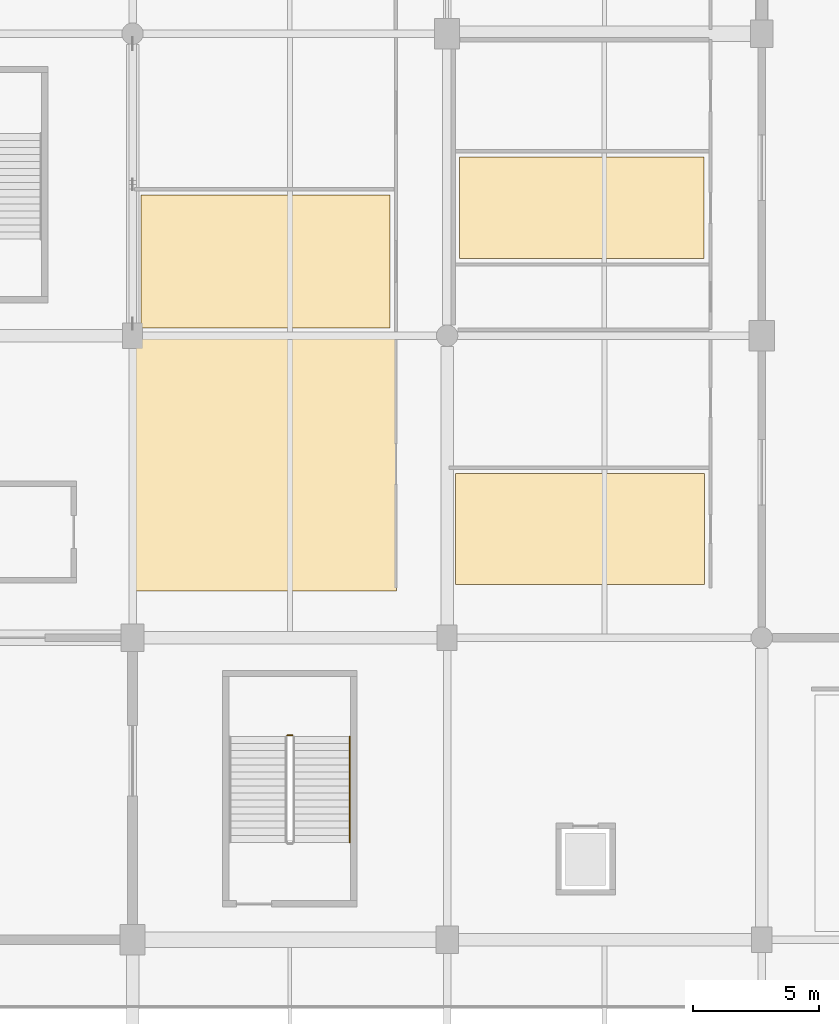
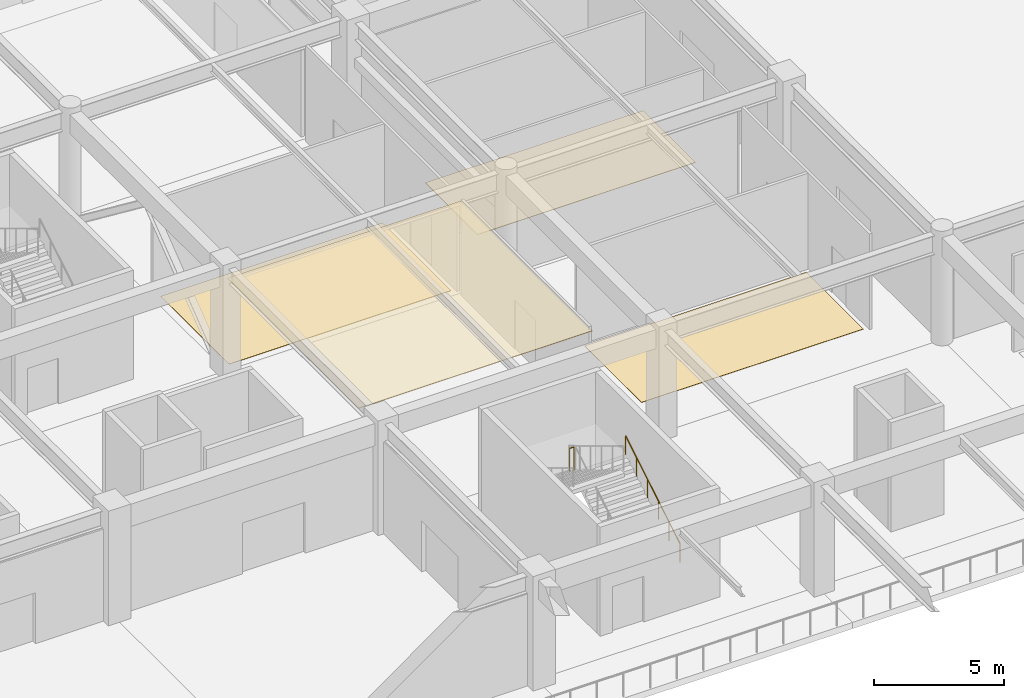
# One storey, part 42 of 69: 4 coverings, 2 railings.
"""IFC4 building model written with IfcOpenShell, lengths in metres."""

from ifc_helpers import new_model, si_unit, direction, frame, origin, origin_2d, place, context, subcontext, project, spatial, polyline, circle, outline, extrude, material, layer, layer_set, type_object, element, save


model = new_model("IFC4")

# Units and contexts
model_context = context("Model", 3, precision=1e-05, world=origin(), true_north=direction((0.0, 1.0)))
body_context = subcontext(model_context, "Body", "Model", "MODEL_VIEW")
ifc_project = project(units=[si_unit("LENGTHUNIT", "METRE"), si_unit("AREAUNIT", "SQUARE_METRE"), si_unit("VOLUMEUNIT", "CUBIC_METRE"), si_unit("PLANEANGLEUNIT", "RADIAN"), si_unit("MASSUNIT", "GRAM", prefix="KILO")], contexts=[model_context])

# Site, building, storey
site_placement = place(None, origin())
site = spatial("IfcSite", under=ifc_project, at=site_placement, CompositionType="ELEMENT")
building_placement = place(site_placement, origin())
building = spatial("IfcBuilding", under=site, at=building_placement, Name="Kazenohara Klinker Stadium", CompositionType="ELEMENT")
storey_placement = place(building_placement, origin())
storey = spatial("IfcBuildingStorey", under=building, at=storey_placement, Name="L00", CompositionType="ELEMENT", Elevation=0.0)

# Coverings
ifc_material_1 = material(Name="Perforated acoustic mineral-fibre ceiling tile", Category="gypsum")
ifc_layer_1 = layer(ifc_material_1, 0.030029296875)
ifc_layer_set_1 = layer_set([ifc_layer_1], Name="Perforated acoustic mineral-fibre ceiling tile")
covering_type_1 = type_object("IfcCoveringType", Name="COV-CEIL-01", PredefinedType="CEILING", material=ifc_layer_set_1)
covering_1_placement = place(storey_placement, frame((0.0, 0.0, 4.35009765625)))
element("IfcCovering", 1, at=covering_1_placement, inside=storey, type_object=covering_type_1, Name="Suspended acoustic ceiling CL01 Supporter Merchandising Retail Shop L00-0203A", PredefinedType="CEILING", context=body_context, shape_type="SweptSolid", body=[
    extrude(outline(polyline([(24.06005859375, 37.85009765625), (34.489990234375, 37.85009765625), (34.489990234375, 47.9599609375), (24.06005859375, 47.9599609375), (24.06005859375, 37.85009765625)])), origin(), (0.0, 0.0, 1.0), 0.02978515625),
])
ifc_material_2 = material(Name="Slip-resistant honed basalt terrazzo flooring", Category="masonry")
ifc_layer_2 = layer(ifc_material_2, 0.02001953125)
ifc_layer_set_2 = layer_set([ifc_layer_2], Name="Slip-resistant honed basalt terrazzo flooring")
covering_type_2 = type_object("IfcCoveringType", Name="COV-FLR-01", PredefinedType="FLOORING", material=ifc_layer_set_2)
covering_2_placement = place(storey_placement, origin())
element("IfcCovering", 2, at=covering_2_placement, inside=storey, type_object=covering_type_2, Name="Interior floor finish FL01 Water Closet Restroom Male L00-0304B", PredefinedType="FLOORING", context=body_context, shape_type="SweptSolid", body=[
    extrude(outline(polyline([(36.989990234375, 51.060302734375), (46.7099609375, 51.060302734375), (46.7099609375, 55.09521484375), (36.989990234375, 55.09521484375), (36.989990234375, 51.060302734375)])), origin(), (0.0, 0.0, 1.0), 0.02001953125),
])
ifc_material_3 = material(Name="Cushioned EPDM sports rubber flooring", Category="rubber")
ifc_layer_3 = layer(ifc_material_3, 0.014892578125)
ifc_layer_set_3 = layer_set([ifc_layer_3], Name="Cushioned EPDM sports rubber flooring")
covering_type_3 = type_object("IfcCoveringType", Name="COV-FLR-02", PredefinedType="FLOORING", material=ifc_layer_set_3)
covering_3_placement = place(storey_placement, origin())
element("IfcCovering", 3, at=covering_3_placement, inside=storey, type_object=covering_type_3, Name="Interior floor finish FL02 Spectator First-Aid Medical Clinic L00-0204A", PredefinedType="FLOORING", context=body_context, shape_type="SweptSolid", body=[
    extrude(outline(polyline([(24.330078125, 48.31005859375), (34.219970703125, 48.31005859375), (34.219970703125, 53.5947265625), (24.330078125, 53.5947265625), (24.330078125, 48.31005859375)])), origin(), (0.0, 0.0, 1.0), 0.014892578125),
])
covering_4_placement = place(storey_placement, origin())
element("IfcCovering", 4, at=covering_4_placement, inside=storey, type_object=covering_type_3, Name="Interior floor finish FL02 Supporter Merchandising Retail Shop L00-0303A", PredefinedType="FLOORING", context=body_context, shape_type="SweptSolid", body=[
    extrude(outline(polyline([(36.830078125, 38.1201171875), (46.719970703125, 38.1201171875), (46.719970703125, 42.527099609375), (36.830078125, 42.527099609375), (36.830078125, 38.1201171875)])), origin(), (0.0, 0.0, 1.0), 0.014892578125),
])

# Railings
ifc_material_4 = material(Name="Brushed stainless steel 304 handrail", Category="steel")
ifc_layer_4 = layer(ifc_material_4, 0.050048828125)
ifc_layer_set_4 = layer_set([ifc_layer_4], Name="Brushed stainless steel 304 handrail")
railing_type_1 = type_object("IfcRailingType", Name="RL-HND-900", PredefinedType="HANDRAIL", material=ifc_layer_set_4)
railing_1_placement = place(storey_placement, frame((32.6298828125, 27.8701171875, 0.168701171875)))
element("IfcRailing", 5, at=railing_1_placement, inside=storey, type_object=railing_type_1, Name="L00 ST07 stair handrail 1", PredefinedType="HANDRAIL", context=body_context, shape_type="SweptSolid", body=[
    extrude(circle(Radius=0.02392578125, at=origin_2d()), frame((0.0, 0.0, 0.8759765625), z_axis=(0.0, 0.856476492594, 0.516186030065), x_axis=(-1.0, 0.0, 0.0)), (0.0, 0.0, 1.0), 4.90380859375),
    extrude(circle(Radius=0.02099609375, at=origin_2d()), origin(), (0.0, 0.0, 1.0), 0.851806640625),
    extrude(circle(Radius=0.02099609375, at=origin_2d()), frame((0.0, 0.840087890625, 0.50634765625)), (0.0, 0.0, 1.0), 0.851806640625),
    extrude(circle(Radius=0.02099609375, at=origin_2d()), frame((0.0, 1.679931640625, 1.012451171875)), (0.0, 0.0, 1.0), 0.851806640625),
    extrude(circle(Radius=0.02099609375, at=origin_2d()), frame((0.0, 2.52001953125, 1.518798828125)), (0.0, 0.0, 1.0), 0.851806640625),
    extrude(circle(Radius=0.02099609375, at=origin_2d()), frame((0.0, 3.35986328125, 2.02490234375)), (0.0, 0.0, 1.0), 0.851806640625),
    extrude(circle(Radius=0.02099609375, at=origin_2d()), frame((0.0, 4.199951171875, 2.53125)), (0.0, 0.0, 1.0), 0.851806640625),
])
ifc_material_5 = material(Name="Painted steel stairwell guardrail", Category="steel")
ifc_layer_5 = layer(ifc_material_5, 0.06005859375)
ifc_layer_set_5 = layer_set([ifc_layer_5], Name="Painted steel stairwell guardrail")
railing_type_2 = type_object("IfcRailingType", Name="RL-STG-1120", PredefinedType="GUARDRAIL", material=ifc_layer_set_5)
railing_2_placement = place(storey_placement, frame((30.35009765625, 32.1201171875, 2.699951171875)))
element("IfcRailing", 6, at=railing_2_placement, inside=storey, type_object=railing_type_2, Name="L00 ST07 stair guard 2", PredefinedType="GUARDRAIL", context=body_context, shape_type="SweptSolid", body=[
    extrude(circle(Radius=0.02392578125, at=origin_2d()), frame((0.0, 0.0, 1.1259765625), z_axis=(-1.0, 0.0, 0.0), x_axis=(0.0, -1.0, 0.0)), (0.0, 0.0, 1.0), 0.2001953125),
    extrude(circle(Radius=0.02099609375, at=origin_2d()), origin(), (0.0, 0.0, 1.0), 1.101806640625),
    extrude(circle(Radius=0.02099609375, at=origin_2d()), frame((-0.2001953125, 0.0, 0.0)), (0.0, 0.0, 1.0), 1.101806640625),
])

save(model, "model.ifc")
